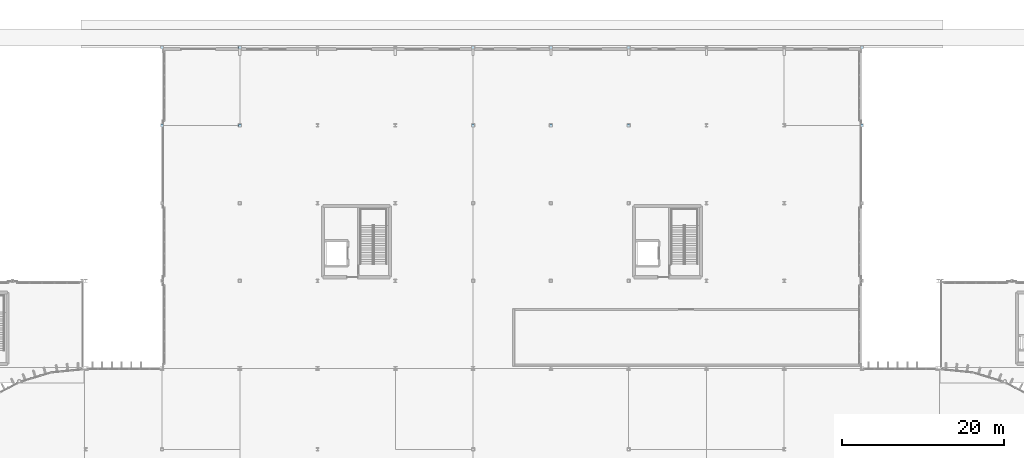
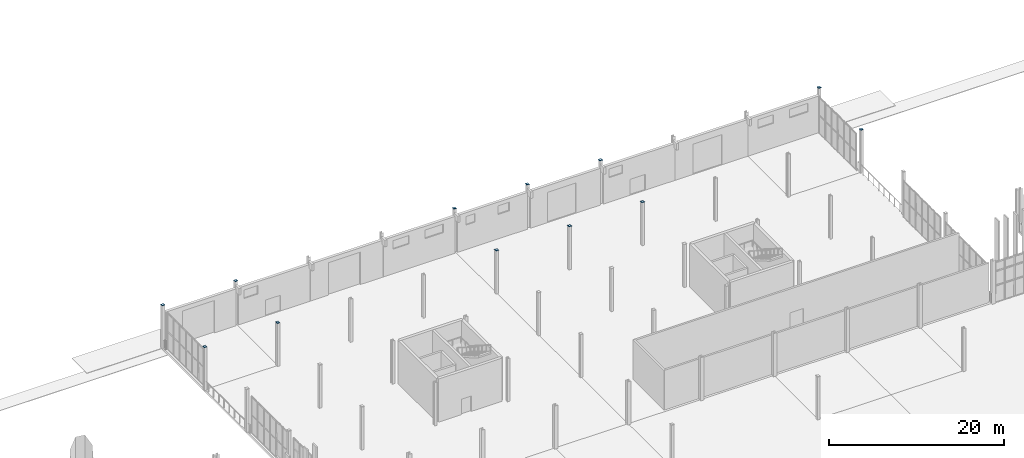
# One storey, part 100 of 139: 12 plates.
"""IFC4 building model written with IfcOpenShell, lengths in metres."""

from ifc_helpers import new_model, si_unit, direction, frame, origin, origin_2d, place, context, subcontext, project, spatial, rectangle, extrude, material, layer, layer_set, type_object, element, save


model = new_model("IFC4")

# Units and contexts
model_context = context("Model", 3, precision=1e-05, world=origin(), true_north=direction((0.0, 1.0)))
body_context = subcontext(model_context, "Body", "Model", "MODEL_VIEW")
ifc_project = project(units=[si_unit("LENGTHUNIT", "METRE"), si_unit("AREAUNIT", "SQUARE_METRE"), si_unit("VOLUMEUNIT", "CUBIC_METRE"), si_unit("PLANEANGLEUNIT", "RADIAN"), si_unit("MASSUNIT", "GRAM", prefix="KILO")], contexts=[model_context])

# Site, building, storey
site_placement = place(None, origin())
site = spatial("IfcSite", under=ifc_project, at=site_placement, CompositionType="ELEMENT")
building_placement = place(site_placement, origin())
building = spatial("IfcBuilding", under=site, at=building_placement, Name="Yeouljin Market Hall", CompositionType="ELEMENT")
storey_placement = place(building_placement, origin())
storey = spatial("IfcBuildingStorey", under=building, at=storey_placement, Name="L00", CompositionType="ELEMENT", Elevation=0.0)

# Plates
ifc_material = material(Name="Steel SM355", Category="steel")
ifc_layer = layer(ifc_material, 0.01611328125)
ifc_layer_set = layer_set([ifc_layer], Name="Steel SM355")
plate_type = type_object("IfcPlateType", Name="CapPlate_360x360x16", PredefinedType="SHEET", material=ifc_layer_set)
for number, where, z_axis, x_axis, name in (
    (1, (45.0, 108.0, 6.0), (0.0, 0.0, 1.0), (1.0, 0.0, 0.0), "Hollow column top cap plate G-06-11 (L00)"),
    (2, (45.0, 117.60009765625, 6.0), (0.0, 0.0, 1.0), (1.0, 0.0, 0.0), "Hollow column top cap plate G-06-12 (L00)"),
    (3, (54.60009765625, 108.0, 6.0), (0.0, 0.0, 1.0), (1.0, 0.0, 0.0), "Hollow column top cap plate G-07-11 (L00)"),
    (4, (54.60009765625, 117.60009765625, 6.0), (0.0, 0.0, 1.0), (1.0, 0.0, 0.0), "Hollow column top cap plate G-07-12 (L00)"),
    (5, (83.39990234375, 108.0, 6.0), (0.0, 0.0, 1.0), (1.0, 0.0, 0.0), "Hollow column top cap plate G-10-11 (L00)"),
    (6, (83.39990234375, 117.60009765625, 6.0), (0.0, 0.0, 1.0), (1.0, 0.0, 0.0), "Hollow column top cap plate G-10-12 (L00)"),
    (7, (93.0, 108.0, 6.0), (0.0, 0.0, 1.0), (1.0, 0.0, 0.0), "Hollow column top cap plate G-11-11 (L00)"),
    (8, (93.0, 117.60009765625, 6.0), (0.0, 0.0, 1.0), (1.0, 0.0, 0.0), "Hollow column top cap plate G-11-12 (L00)"),
    (9, (102.60009765625, 108.0, 6.0), (0.0, 0.0, 1.0), (1.0, 0.0, 0.0), "Hollow column top cap plate G-12-11 (L00)"),
    (10, (102.60009765625, 117.60009765625, 6.0), (0.0, 0.0, 1.0), (1.0, 0.0, 0.0), "Hollow column top cap plate G-12-12 (L00)"),
    (11, (131.39990234375, 108.0, 6.0), (0.0, 0.0, 1.0), (1.0, 0.0, 0.0), "Hollow column top cap plate G-15-11 (L00)"),
    (12, (131.39990234375, 117.60009765625, 6.0), (0.0, 0.0, 1.0), (1.0, 0.0, 0.0), "Hollow column top cap plate G-15-12 (L00)"),
):
    element("IfcPlate", number, at=place(storey_placement, frame(where, z_axis=z_axis, x_axis=x_axis)), inside=storey, type_object=plate_type, Name=name, PredefinedType="SHEET", context=body_context, shape_type="SweptSolid", body=[
        extrude(rectangle(XDim=0.360107421875, YDim=0.360107421875, at=origin_2d()), origin(), (0.0, 0.0, 1.0), 0.01611328125),
    ])

save(model, "model.ifc")
